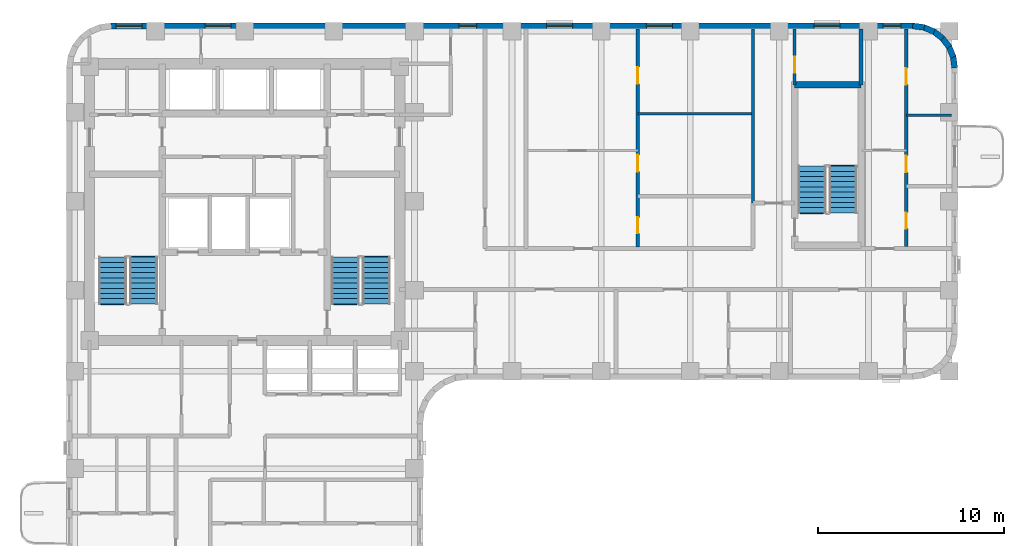
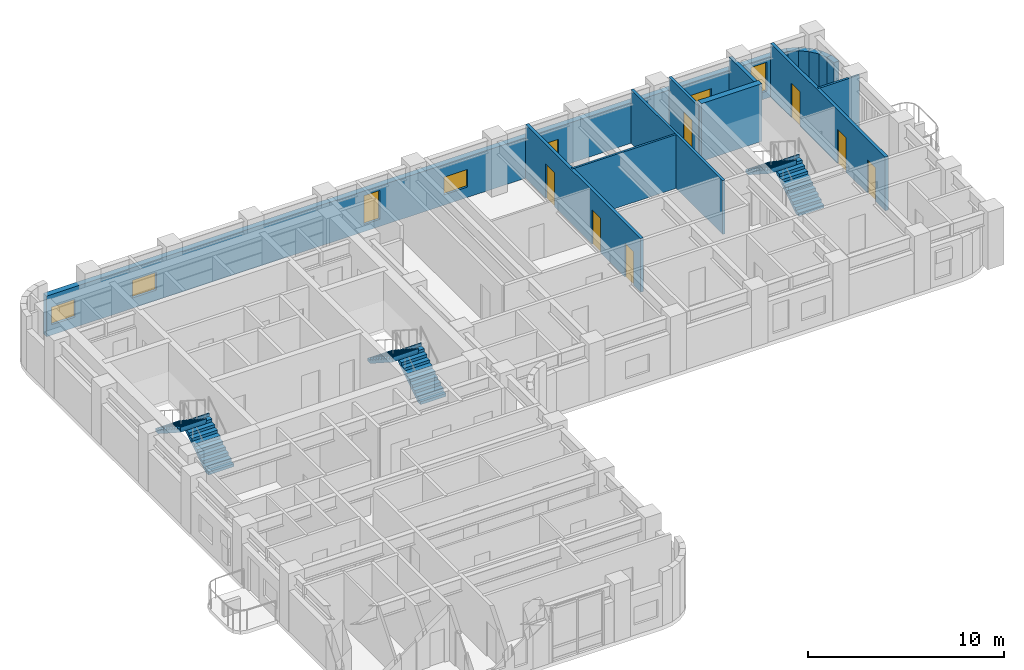
# One storey, part 9 of 11: 15 walls, 7 doors, 7 windows, 6 stair flights, 14 openings, 3 elements without a shape of their own.
"""IFC4 building model written with IfcOpenShell, lengths in metres."""

from ifc_helpers import new_model, si_unit, direction, frame, frame_2d, origin, place, context, subcontext, project, spatial, polyline, rectangle, outline, extrude, material, layer, layer_set, type_object, element, fill, aggregate, save


model = new_model("IFC4")

# Units and contexts
model_context = context("Model", 3, precision=1e-05, world=origin(), true_north=direction((0.0, 1.0)))
body_context = subcontext(model_context, "Body", "Model", "MODEL_VIEW")
ifc_project = project(units=[si_unit("LENGTHUNIT", "METRE"), si_unit("AREAUNIT", "SQUARE_METRE"), si_unit("VOLUMEUNIT", "CUBIC_METRE"), si_unit("PLANEANGLEUNIT", "RADIAN"), si_unit("MASSUNIT", "GRAM", prefix="KILO")], contexts=[model_context])

# Site, building, storey
site_placement = place(None, origin())
site = spatial("IfcSite", under=ifc_project, at=site_placement, CompositionType="ELEMENT")
building_placement = place(site_placement, origin())
building = spatial("IfcBuilding", under=site, at=building_placement, Name="Orvandelia Arch Residences", CompositionType="ELEMENT")
storey_placement = place(building_placement, frame((0.0, 0.0, 125.199951171875)))
storey = spatial("IfcBuildingStorey", under=building, at=storey_placement, Name="L32", CompositionType="ELEMENT", Elevation=125.199951171875)

# Walls
ifc_material_1 = material(Name="Concrete C50/60", Category="concrete")
ifc_layer_1 = layer(ifc_material_1, 0.35009765625, Name="Concrete C50/60", Category="concrete")
ifc_layer_set_1 = layer_set([ifc_layer_1], Name="Concrete C50/60")
wall_type_1 = type_object("IfcWallType", Name="WL-CORE-350", PredefinedType="SHEAR", material=ifc_layer_set_1)
wall_1_placement = place(storey_placement, frame((44.02001953125, 44.659912109375, 0.0), z_axis=(0.0, 0.0, 1.0), x_axis=(1.0, 0.0, 0.0)))
element("IfcWall", 1, at=wall_1_placement, inside=storey, type_object=wall_type_1, Name="East Stair Core Shear Wall L32-N", PredefinedType="SHEAR", context=body_context, shape_type="SweptSolid", body=[
    extrude(rectangle(XDim=3.580078125, YDim=0.35009765625, at=frame_2d((1.7900390625, 0.0))), origin(), (0.0, 0.0, 1.0), 3.60009765625),
])
ifc_material_2 = material(Name="Concrete C40/50", Category="concrete")
ifc_layer_2 = layer(ifc_material_2, 0.199951171875, Name="Concrete C40/50", Category="concrete")
ifc_layer_set_2 = layer_set([ifc_layer_2], Name="Concrete C40/50")
wall_type_2 = type_object("IfcWallType", Name="WL-DEM-200", PredefinedType="SOLIDWALL", material=ifc_layer_set_2)
wall_2_placement = place(storey_placement, frame((47.60009765625, 44.659912109375, 0.0), z_axis=(0.0, 0.0, 1.0), x_axis=(0.0, 1.0, 0.0)))
element("IfcWall", 2, at=wall_2_placement, inside=storey, type_object=wall_type_2, Name="Interior Partition Wall WL-L32-ES-NST3E", PredefinedType="SOLIDWALL", context=body_context, shape_type="SweptSolid", body=[
    extrude(rectangle(XDim=3.02001953125, YDim=0.199951171875, at=frame_2d((1.510009765625, 0.0))), origin(), (0.0, 0.0, 1.0), 3.360107421875),
])

# Wall, openings, windows
ifc_material_3 = material(Name="Precast concrete C40/50", Category="concrete")
ifc_layer_3 = layer(ifc_material_3, 0.320068359375, Name="Precast concrete C40/50", Category="concrete")
ifc_layer_set_3 = layer_set([ifc_layer_3], Name="Precast concrete C40/50")
wall_type_3 = type_object("IfcWallType", Name="WL-EXT-STONE-320", PredefinedType="STANDARD", material=ifc_layer_set_3)
wall_3_placement = place(storey_placement, frame((7.199951171875, 47.840087890625, 0.0), z_axis=(0.0, 0.0, 1.0), x_axis=(1.0, 0.0, 0.0)))
wall_3 = element("IfcWall", 3, at=wall_3_placement, inside=storey, type_object=wall_type_3, Name="Coral-Limestone Precast Facade Wall L32-007", PredefinedType="STANDARD", context=body_context, shape_type="SweptSolid", body=[
    extrude(rectangle(XDim=43.199951171875, YDim=0.320068359375, at=frame_2d((21.60009765625, 0.0))), origin(), (0.0, 0.0, 1.0), 2.5400390625),
])
opening_1_placement = place(wall_3_placement, frame((28.841064453125, 0.0, 0.64990234375)))
opening_1 = element("IfcOpeningElement", 4, at=opening_1_placement, cuts=wall_3, Name="Opening W10", PredefinedType="OPENING", context=body_context, shape_type="SweptSolid", body=[
    extrude(rectangle(XDim=1.39990234375, YDim=1.10009765625, at=frame_2d((0.699951171875, 0.550048828125))), frame((0.0, 0.169921875, 0.0), z_axis=(0.0, -1.0, 0.0), x_axis=(1.0, 0.0, 0.0)), (0.0, 0.0, 1.0), 0.340087890625),
])
opening_2_placement = place(wall_3_placement, frame((18.739990234375, 0.0, 0.449951171875)))
opening_2 = element("IfcOpeningElement", 5, at=opening_2_placement, cuts=wall_3, Name="Opening W4", PredefinedType="OPENING", context=body_context, shape_type="SweptSolid", body=[
    extrude(rectangle(XDim=0.949951171875, YDim=1.800048828125, at=frame_2d((0.47509765625, 0.89990234375))), frame((0.0, 0.169921875, 0.0), z_axis=(0.0, -1.0, 0.0), x_axis=(1.0, 0.0, 0.0)), (0.0, 0.0, 1.0), 0.340087890625),
])
opening_3_placement = place(wall_3_placement, frame((37.862548828125, 0.0, 0.64990234375)))
opening_3 = element("IfcOpeningElement", 6, at=opening_3_placement, cuts=wall_3, Name="Opening W10", PredefinedType="OPENING", context=body_context, shape_type="SweptSolid", body=[
    extrude(rectangle(XDim=1.39990234375, YDim=1.10009765625, at=frame_2d((0.699951171875, 0.550048828125))), frame((0.0, 0.169921875, 0.0), z_axis=(0.0, -1.0, 0.0), x_axis=(1.0, 0.0, 0.0)), (0.0, 0.0, 1.0), 0.340087890625),
])
opening_4_placement = place(wall_3_placement, frame((0.282470703125, 0.0, 0.64990234375)))
opening_4 = element("IfcOpeningElement", 7, at=opening_4_placement, cuts=wall_3, Name="Opening W10", PredefinedType="OPENING", context=body_context, shape_type="SweptSolid", body=[
    extrude(rectangle(XDim=1.39990234375, YDim=1.10009765625, at=frame_2d((0.699951171875, 0.550048828125))), frame((0.0, 0.169921875, 0.0), z_axis=(0.0, -1.0, 0.0), x_axis=(1.0, 0.0, 0.0)), (0.0, 0.0, 1.0), 0.340087890625),
])
opening_5_placement = place(wall_3_placement, frame((5.077392578125, 0.0, 0.64990234375)))
opening_5 = element("IfcOpeningElement", 8, at=opening_5_placement, cuts=wall_3, Name="Opening W10", PredefinedType="OPENING", context=body_context, shape_type="SweptSolid", body=[
    extrude(rectangle(XDim=1.39990234375, YDim=1.10009765625, at=frame_2d((0.699951171875, 0.550048828125))), frame((0.0, 0.169921875, 0.0), z_axis=(0.0, -1.0, 0.0), x_axis=(1.0, 0.0, 0.0)), (0.0, 0.0, 1.0), 0.340087890625),
])
opening_6_placement = place(wall_3_placement, frame((23.467529296875, 0.0, 0.64990234375)))
opening_6 = element("IfcOpeningElement", 9, at=opening_6_placement, cuts=wall_3, Name="Opening W10", PredefinedType="OPENING", context=body_context, shape_type="SweptSolid", body=[
    extrude(rectangle(XDim=1.39990234375, YDim=1.10009765625, at=frame_2d((0.699951171875, 0.550048828125))), frame((0.0, 0.169921875, 0.0), z_axis=(0.0, -1.0, 0.0), x_axis=(1.0, 0.0, 0.0)), (0.0, 0.0, 1.0), 0.340087890625),
])
opening_7_placement = place(wall_3_placement, frame((41.593994140625, 0.0, 0.449951171875)))
opening_7 = element("IfcOpeningElement", 10, at=opening_7_placement, cuts=wall_3, Name="Opening W4", PredefinedType="OPENING", context=body_context, shape_type="SweptSolid", body=[
    extrude(rectangle(XDim=0.949951171875, YDim=1.800048828125, at=frame_2d((0.47509765625, 0.89990234375))), frame((0.0, 0.169921875, 0.0), z_axis=(0.0, -1.0, 0.0), x_axis=(1.0, 0.0, 0.0)), (0.0, 0.0, 1.0), 0.340087890625),
])
ifc_material_4 = material(Name="Tempered Low-E Insulated Glazing", Category="glass")
window_type_1 = type_object("IfcWindowType", Name="WIN-CLR-1400x1100", PartitioningType="SINGLE_PANEL", PredefinedType="WINDOW", material=ifc_material_4)
window_1_placement = place(opening_1_placement, origin())
window_1 = element("IfcWindow", 11, at=window_1_placement, inside=storey, type_object=window_type_1, Name="Recessed Punched Window L32-001", OverallHeight=1.10009765625, OverallWidth=1.39990234375, PartitioningType="SINGLE_PANEL", PredefinedType="WINDOW", context=body_context, shape_type="SweptSolid", body=[
    extrude(rectangle(XDim=1.39990234375, YDim=1.10009765625, at=frame_2d((0.699951171875, 0.550048828125))), frame((0.0, 0.030029296875, 0.0), z_axis=(0.0, -1.0, 0.0), x_axis=(1.0, 0.0, 0.0)), (0.0, 0.0, 1.0), 0.06005859375),
])
fill(opening_1, window_1)
window_2_placement = place(opening_3_placement, origin())
window_2 = element("IfcWindow", 12, at=window_2_placement, inside=storey, type_object=window_type_1, Name="Recessed Punched Window L32-003", OverallHeight=1.10009765625, OverallWidth=1.39990234375, PartitioningType="SINGLE_PANEL", PredefinedType="WINDOW", context=body_context, shape_type="SweptSolid", body=[
    extrude(rectangle(XDim=1.39990234375, YDim=1.10009765625, at=frame_2d((0.699951171875, 0.550048828125))), frame((0.0, 0.030029296875, 0.0), z_axis=(0.0, -1.0, 0.0), x_axis=(1.0, 0.0, 0.0)), (0.0, 0.0, 1.0), 0.06005859375),
])
fill(opening_3, window_2)
window_3_placement = place(opening_4_placement, origin())
window_3 = element("IfcWindow", 13, at=window_3_placement, inside=storey, type_object=window_type_1, Name="Recessed Punched Window L32-004", OverallHeight=1.10009765625, OverallWidth=1.39990234375, PartitioningType="SINGLE_PANEL", PredefinedType="WINDOW", context=body_context, shape_type="SweptSolid", body=[
    extrude(rectangle(XDim=1.39990234375, YDim=1.10009765625, at=frame_2d((0.699951171875, 0.550048828125))), frame((0.0, 0.030029296875, 0.0), z_axis=(0.0, -1.0, 0.0), x_axis=(1.0, 0.0, 0.0)), (0.0, 0.0, 1.0), 0.06005859375),
])
fill(opening_4, window_3)
window_4_placement = place(opening_5_placement, origin())
window_4 = element("IfcWindow", 14, at=window_4_placement, inside=storey, type_object=window_type_1, Name="Recessed Punched Window L32-005", OverallHeight=1.10009765625, OverallWidth=1.39990234375, PartitioningType="SINGLE_PANEL", PredefinedType="WINDOW", context=body_context, shape_type="SweptSolid", body=[
    extrude(rectangle(XDim=1.39990234375, YDim=1.10009765625, at=frame_2d((0.699951171875, 0.550048828125))), frame((0.0, 0.030029296875, 0.0), z_axis=(0.0, -1.0, 0.0), x_axis=(1.0, 0.0, 0.0)), (0.0, 0.0, 1.0), 0.06005859375),
])
fill(opening_5, window_4)
window_5_placement = place(opening_6_placement, origin())
window_5 = element("IfcWindow", 15, at=window_5_placement, inside=storey, type_object=window_type_1, Name="Recessed Punched Window L32-006", OverallHeight=1.10009765625, OverallWidth=1.39990234375, PartitioningType="SINGLE_PANEL", PredefinedType="WINDOW", context=body_context, shape_type="SweptSolid", body=[
    extrude(rectangle(XDim=1.39990234375, YDim=1.10009765625, at=frame_2d((0.699951171875, 0.550048828125))), frame((0.0, 0.030029296875, 0.0), z_axis=(0.0, -1.0, 0.0), x_axis=(1.0, 0.0, 0.0)), (0.0, 0.0, 1.0), 0.06005859375),
])
fill(opening_6, window_5)
window_type_2 = type_object("IfcWindowType", Name="WIN-RES-0950x1800", PartitioningType="SINGLE_PANEL", PredefinedType="WINDOW", material=ifc_material_4)
window_6_placement = place(opening_2_placement, origin())
window_6 = element("IfcWindow", 16, at=window_6_placement, inside=storey, type_object=window_type_2, Name="Recessed Punched Window L32-002", OverallHeight=1.800048828125, OverallWidth=0.949951171875, PartitioningType="SINGLE_PANEL", PredefinedType="WINDOW", context=body_context, shape_type="SweptSolid", body=[
    extrude(rectangle(XDim=0.949951171875, YDim=1.800048828125, at=frame_2d((0.47509765625, 0.89990234375))), frame((0.0, 0.030029296875, 0.0), z_axis=(0.0, -1.0, 0.0), x_axis=(1.0, 0.0, 0.0)), (0.0, 0.0, 1.0), 0.06005859375),
])
fill(opening_2, window_6)
window_7_placement = place(opening_7_placement, origin())
window_7 = element("IfcWindow", 17, at=window_7_placement, inside=storey, type_object=window_type_2, Name="Recessed Punched Window L32-007", OverallHeight=1.800048828125, OverallWidth=0.949951171875, PartitioningType="SINGLE_PANEL", PredefinedType="WINDOW", context=body_context, shape_type="SweptSolid", body=[
    extrude(rectangle(XDim=0.949951171875, YDim=1.800048828125, at=frame_2d((0.47509765625, 0.89990234375))), frame((0.0, 0.030029296875, 0.0), z_axis=(0.0, -1.0, 0.0), x_axis=(1.0, 0.0, 0.0)), (0.0, 0.0, 1.0), 0.06005859375),
])
fill(opening_7, window_7)

# Walls
for number, where, z_axis, x_axis, name in (
    (18, (50.379150390625, 47.84130859375, 0.0), (0.0, 0.0, 1.0), (0.9914410257, -0.130555323746, 0.0), "Coral-Limestone Precast Facade Wall L32-008"),
    (19, (50.9599609375, 47.7705078125, 0.0), (0.0, 0.0, 1.0), (0.92389335771, -0.382650053678, 0.0), "Coral-Limestone Precast Facade Wall L32-009"),
    (20, (51.502685546875, 47.551513671875, 0.0), (0.0, 0.0, 1.0), (0.793405610854, -0.608693302629, 0.0), "Coral-Limestone Precast Facade Wall L32-010"),
    (21, (51.97021484375, 47.19970703125, 0.0), (0.0, 0.0, 1.0), (0.608693302629, -0.793405610854, 0.0), "Coral-Limestone Precast Facade Wall L32-011"),
    (22, (52.330810546875, 46.73876953125, 0.0), (0.0, 0.0, 1.0), (0.382317370307, -0.924031075431, 0.0), "Coral-Limestone Precast Facade Wall L32-012"),
    (23, (52.5595703125, 46.2001953125, 0.0), (0.0, 0.0, 1.0), (0.130555323746, -0.9914410257, 0.0), "Coral-Limestone Precast Facade Wall L32-013"),
):
    element("IfcWall", number, at=place(storey_placement, frame(where, z_axis=z_axis, x_axis=x_axis)), inside=storey, type_object=wall_type_3, Name=name, PredefinedType="STANDARD", context=body_context, shape_type="SweptSolid", body=[
        extrude(rectangle(XDim=0.62646484375, YDim=0.320068359375, at=frame_2d((0.313232421875, 0.0))), origin(), (0.0, 0.0, 1.0), 2.5400390625),
    ])
ifc_material_5 = material(Name="Lightweight Gypsum Stud Partition")
ifc_layer_4 = layer(ifc_material_5, 0.1201171875, Name="Lightweight Gypsum Stud Partition")
ifc_layer_set_4 = layer_set([ifc_layer_4], Name="Lightweight Gypsum Stud Partition")
wall_type_4 = type_object("IfcWallType", Name="WL-PART-120", PredefinedType="PARTITIONING", material=ifc_layer_set_4)
wall_4_placement = place(storey_placement, frame((35.576904296875, 43.10693359375, 0.0), z_axis=(0.0, 0.0, 1.0), x_axis=(1.0, 0.0, 0.0)))
element("IfcWall", 24, at=wall_4_placement, inside=storey, type_object=wall_type_4, Name="Interior Partition Wall WL-L32-U08-H2", PredefinedType="PARTITIONING", context=body_context, shape_type="SweptSolid", body=[
    extrude(rectangle(XDim=6.123046875, YDim=0.1201171875, at=frame_2d((3.0615234375, 0.0))), origin(), (0.0, 0.0, 1.0), 3.360107421875),
])
wall_5_placement = place(storey_placement, frame((50.04296875, 43.02392578125, 0.0), z_axis=(0.0, 0.0, 1.0), x_axis=(1.0, 0.0, 0.0)))
element("IfcWall", 25, at=wall_5_placement, inside=storey, type_object=wall_type_4, Name="Interior Partition Wall WL-L32-U09-H2", PredefinedType="PARTITIONING", context=body_context, shape_type="SweptSolid", body=[
    extrude(rectangle(XDim=2.43701171875, YDim=0.1201171875, at=frame_2d((1.218505859375, 0.0))), origin(), (0.0, 0.0, 1.0), 3.360107421875),
])
ifc_material_6 = material(Name="Acoustic Gypsum Stud Partition")
ifc_layer_5 = layer(ifc_material_6, 0.14990234375, Name="Acoustic Gypsum Stud Partition")
ifc_layer_set_5 = layer_set([ifc_layer_5], Name="Acoustic Gypsum Stud Partition")
wall_type_5 = type_object("IfcWallType", Name="WL-PART-150", PredefinedType="PARTITIONING", material=ifc_layer_set_5)
wall_6_placement = place(storey_placement, frame((41.780029296875, 38.300048828125, 0.0), z_axis=(0.0, 0.0, 1.0), x_axis=(0.0, 1.0, 0.0)))
element("IfcWall", 26, at=wall_6_placement, inside=storey, type_object=wall_type_5, Name="Interior Partition Wall WL-L32-ES-SPKW", PredefinedType="PARTITIONING", context=body_context, shape_type="SweptSolid", body=[
    extrude(rectangle(XDim=9.3798828125, YDim=0.14990234375, at=frame_2d((4.68994140625, 0.0))), origin(), (0.0, 0.0, 1.0), 3.360107421875),
])

# Wall, opening, door
wall_7_placement = place(storey_placement, frame((44.02001953125, 44.659912109375, 0.0), z_axis=(0.0, 0.0, 1.0), x_axis=(0.0, 1.0, 0.0)))
wall_7 = element("IfcWall", 27, at=wall_7_placement, inside=storey, type_object=wall_type_5, Name="Interior Partition Wall WL-L32-ES-NST3W", PredefinedType="PARTITIONING", context=body_context, shape_type="SweptSolid", body=[
    extrude(rectangle(XDim=3.02001953125, YDim=0.14990234375, at=frame_2d((1.510009765625, 0.0))), origin(), (0.0, 0.0, 1.0), 3.360107421875),
])
opening_8_placement = place(wall_7_placement, frame((0.64990234375, 0.0, 0.0)))
opening_8 = element("IfcOpeningElement", 28, at=opening_8_placement, cuts=wall_7, Name="Opening D5", PredefinedType="OPENING", context=body_context, shape_type="SweptSolid", body=[
    extrude(rectangle(XDim=0.8798828125, YDim=2.10009765625, at=frame_2d((0.43994140625, 1.050048828125))), frame((0.0, 0.0849609375, 0.0), z_axis=(0.0, -1.0, 0.0), x_axis=(1.0, 0.0, 0.0)), (0.0, 0.0, 1.0), 0.169921875),
])
ifc_material_7 = material(Name="Painted Galvanised Steel Service Door", Category="steel")
door_type_1 = type_object("IfcDoorType", Name="DR-SRV-880", OperationType="NOTDEFINED", PredefinedType="DOOR", material=ifc_material_7)
door_1_placement = place(opening_8_placement, origin())
door_1 = element("IfcDoor", 29, at=door_1_placement, inside=storey, type_object=door_type_1, Name="DR-L32-ESNST3", OperationType="SINGLE_SWING_RIGHT", OverallHeight=2.10009765625, OverallWidth=0.8798828125, PredefinedType="DOOR", context=body_context, shape_type="SweptSolid", body=[
    extrude(rectangle(XDim=0.8798828125, YDim=2.10009765625, at=frame_2d((0.43994140625, 1.050048828125))), frame((0.0, 0.02490234375, 0.0), z_axis=(0.0, -1.0, 0.0), x_axis=(1.0, 0.0, 0.0)), (0.0, 0.0, 1.0), 0.050048828125),
])
fill(opening_8, door_1)

# Wall, openings, doors
ifc_material_8 = material(Name="Moisture-Resistant Plumbing Wall")
ifc_layer_6 = layer(ifc_material_8, 0.179931640625, Name="Moisture-Resistant Plumbing Wall")
ifc_layer_set_6 = layer_set([ifc_layer_6], Name="Moisture-Resistant Plumbing Wall")
wall_type_6 = type_object("IfcWallType", Name="WL-WET-180", PredefinedType="PLUMBINGWALL", material=ifc_layer_set_6)
wall_8_placement = place(storey_placement, frame((35.576904296875, 35.929931640625, 0.0), z_axis=(0.0, 0.0, 1.0), x_axis=(0.0, 1.0, 0.0)))
wall_8 = element("IfcWall", 30, at=wall_8_placement, inside=storey, type_object=wall_type_6, Name="Interior Partition Wall WL-L32-U08-VT", PredefinedType="PLUMBINGWALL", context=body_context, shape_type="SweptSolid", body=[
    extrude(rectangle(XDim=11.75, YDim=0.179931640625, at=frame_2d((5.875, 0.0))), origin(), (0.0, 0.0, 1.0), 3.360107421875),
])
opening_9_placement = place(wall_8_placement, frame((0.7333984375, 0.0, 0.0)))
opening_9 = element("IfcOpeningElement", 31, at=opening_9_placement, cuts=wall_8, Name="Opening D4", PredefinedType="OPENING", context=body_context, shape_type="SweptSolid", body=[
    extrude(rectangle(XDim=0.860107421875, YDim=2.10009765625, at=frame_2d((0.43017578125, 1.050048828125))), frame((0.0, 0.10009765625, 0.0), z_axis=(0.0, -1.0, 0.0), x_axis=(1.0, 0.0, 0.0)), (0.0, 0.0, 1.0), 0.199951171875),
])
opening_10_placement = place(wall_8_placement, frame((4.063720703125, 0.0, 0.0)))
opening_10 = element("IfcOpeningElement", 32, at=opening_10_placement, cuts=wall_8, Name="Opening D3", PredefinedType="OPENING", context=body_context, shape_type="SweptSolid", body=[
    extrude(rectangle(XDim=0.89990234375, YDim=2.14990234375, at=frame_2d((0.449951171875, 1.074951171875))), frame((0.0, 0.10009765625, 0.0), z_axis=(0.0, -1.0, 0.0), x_axis=(1.0, 0.0, 0.0)), (0.0, 0.0, 1.0), 0.199951171875),
])
opening_11_placement = place(wall_8_placement, frame((8.789306640625, 0.0, 0.0)))
opening_11 = element("IfcOpeningElement", 33, at=opening_11_placement, cuts=wall_8, Name="Opening D3", PredefinedType="OPENING", context=body_context, shape_type="SweptSolid", body=[
    extrude(rectangle(XDim=0.89990234375, YDim=2.14990234375, at=frame_2d((0.449951171875, 1.074951171875))), frame((0.0, 0.10009765625, 0.0), z_axis=(0.0, -1.0, 0.0), x_axis=(1.0, 0.0, 0.0)), (0.0, 0.0, 1.0), 0.199951171875),
])
ifc_material_9 = material(Name="Engineered Timber Flush Door", Category="wood")
door_type_2 = type_object("IfcDoorType", Name="DR-INT-900", OperationType="NOTDEFINED", PredefinedType="DOOR", material=ifc_material_9)
door_2_placement = place(opening_10_placement, origin())
door_2 = element("IfcDoor", 34, at=door_2_placement, inside=storey, type_object=door_type_2, Name="DR-L32-U08-KIT", OperationType="SINGLE_SWING_RIGHT", OverallHeight=2.14990234375, OverallWidth=0.89990234375, PredefinedType="DOOR", context=body_context, shape_type="SweptSolid", body=[
    extrude(rectangle(XDim=0.89990234375, YDim=2.14990234375, at=frame_2d((0.449951171875, 1.074951171875))), frame((0.0, 0.02490234375, 0.0), z_axis=(0.0, -1.0, 0.0), x_axis=(1.0, 0.0, 0.0)), (0.0, 0.0, 1.0), 0.050048828125),
])
fill(opening_10, door_2)
door_3_placement = place(opening_11_placement, origin())
door_3 = element("IfcDoor", 35, at=door_3_placement, inside=storey, type_object=door_type_2, Name="DR-L32-U08-BD1", OperationType="SINGLE_SWING_LEFT", OverallHeight=2.14990234375, OverallWidth=0.89990234375, PredefinedType="DOOR", context=body_context, shape_type="SweptSolid", body=[
    extrude(rectangle(XDim=0.89990234375, YDim=2.14990234375, at=frame_2d((0.449951171875, 1.074951171875))), frame((0.0, 0.02490234375, 0.0), z_axis=(0.0, -1.0, 0.0), x_axis=(1.0, 0.0, 0.0)), (0.0, 0.0, 1.0), 0.050048828125),
])
fill(opening_11, door_3)
ifc_material_10 = material(Name="Moisture-Sealed Timber Bathroom Door", Category="wood")
door_type_3 = type_object("IfcDoorType", Name="DR-WET-900", OperationType="NOTDEFINED", PredefinedType="DOOR", material=ifc_material_10)
door_4_placement = place(opening_9_placement, origin())
door_4 = element("IfcDoor", 36, at=door_4_placement, inside=storey, type_object=door_type_3, Name="DR-L32-U08-BTH", OperationType="SINGLE_SWING_LEFT", OverallHeight=2.10009765625, OverallWidth=0.860107421875, PredefinedType="DOOR", context=body_context, shape_type="SweptSolid", body=[
    extrude(rectangle(XDim=0.860107421875, YDim=2.10009765625, at=frame_2d((0.43017578125, 1.050048828125))), frame((0.0, 0.02490234375, 0.0), z_axis=(0.0, -1.0, 0.0), x_axis=(1.0, 0.0, 0.0)), (0.0, 0.0, 1.0), 0.050048828125),
])
fill(opening_9, door_4)

wall_9_placement = place(storey_placement, frame((50.04296875, 35.949951171875, 0.0), z_axis=(0.0, 0.0, 1.0), x_axis=(0.0, 1.0, 0.0)))
wall_9 = element("IfcWall", 37, at=wall_9_placement, inside=storey, type_object=wall_type_6, Name="Interior Partition Wall WL-L32-U09-VT", PredefinedType="PLUMBINGWALL", context=body_context, shape_type="SweptSolid", body=[
    extrude(rectangle(XDim=11.72998046875, YDim=0.179931640625, at=frame_2d((5.864990234375, 0.0))), origin(), (0.0, 0.0, 1.0), 3.360107421875),
])
opening_12_placement = place(wall_9_placement, frame((0.96923828125, 0.0, 0.0)))
opening_12 = element("IfcOpeningElement", 38, at=opening_12_placement, cuts=wall_9, Name="Opening D4", PredefinedType="OPENING", context=body_context, shape_type="SweptSolid", body=[
    extrude(rectangle(XDim=0.860107421875, YDim=2.10009765625, at=frame_2d((0.43017578125, 1.050048828125))), frame((0.0, 0.10009765625, 0.0), z_axis=(0.0, -1.0, 0.0), x_axis=(1.0, 0.0, 0.0)), (0.0, 0.0, 1.0), 0.199951171875),
])
opening_13_placement = place(wall_9_placement, frame((4.005615234375, 0.0, 0.0)))
opening_13 = element("IfcOpeningElement", 39, at=opening_13_placement, cuts=wall_9, Name="Opening D3", PredefinedType="OPENING", context=body_context, shape_type="SweptSolid", body=[
    extrude(rectangle(XDim=0.89990234375, YDim=2.14990234375, at=frame_2d((0.449951171875, 1.074951171875))), frame((0.0, 0.10009765625, 0.0), z_axis=(0.0, -1.0, 0.0), x_axis=(1.0, 0.0, 0.0)), (0.0, 0.0, 1.0), 0.199951171875),
])
opening_14_placement = place(wall_9_placement, frame((8.7236328125, 0.0, 0.0)))
opening_14 = element("IfcOpeningElement", 40, at=opening_14_placement, cuts=wall_9, Name="Opening D3", PredefinedType="OPENING", context=body_context, shape_type="SweptSolid", body=[
    extrude(rectangle(XDim=0.89990234375, YDim=2.14990234375, at=frame_2d((0.449951171875, 1.074951171875))), frame((0.0, 0.10009765625, 0.0), z_axis=(0.0, -1.0, 0.0), x_axis=(1.0, 0.0, 0.0)), (0.0, 0.0, 1.0), 0.199951171875),
])
door_5_placement = place(opening_13_placement, origin())
door_5 = element("IfcDoor", 41, at=door_5_placement, inside=storey, type_object=door_type_2, Name="DR-L32-U09-KIT", OperationType="SINGLE_SWING_LEFT", OverallHeight=2.14990234375, OverallWidth=0.89990234375, PredefinedType="DOOR", context=body_context, shape_type="SweptSolid", body=[
    extrude(rectangle(XDim=0.89990234375, YDim=2.14990234375, at=frame_2d((0.449951171875, 1.074951171875))), frame((0.0, 0.02490234375, 0.0), z_axis=(0.0, -1.0, 0.0), x_axis=(1.0, 0.0, 0.0)), (0.0, 0.0, 1.0), 0.050048828125),
])
fill(opening_13, door_5)
door_6_placement = place(opening_14_placement, origin())
door_6 = element("IfcDoor", 42, at=door_6_placement, inside=storey, type_object=door_type_2, Name="DR-L32-U09-BD1", OperationType="SINGLE_SWING_RIGHT", OverallHeight=2.14990234375, OverallWidth=0.89990234375, PredefinedType="DOOR", context=body_context, shape_type="SweptSolid", body=[
    extrude(rectangle(XDim=0.89990234375, YDim=2.14990234375, at=frame_2d((0.449951171875, 1.074951171875))), frame((0.0, 0.02490234375, 0.0), z_axis=(0.0, -1.0, 0.0), x_axis=(1.0, 0.0, 0.0)), (0.0, 0.0, 1.0), 0.050048828125),
])
fill(opening_14, door_6)
door_7_placement = place(opening_12_placement, origin())
door_7 = element("IfcDoor", 43, at=door_7_placement, inside=storey, type_object=door_type_3, Name="DR-L32-U09-BTH", OperationType="SINGLE_SWING_RIGHT", OverallHeight=2.10009765625, OverallWidth=0.860107421875, PredefinedType="DOOR", context=body_context, shape_type="SweptSolid", body=[
    extrude(rectangle(XDim=0.860107421875, YDim=2.10009765625, at=frame_2d((0.43017578125, 1.050048828125))), frame((0.0, 0.02490234375, 0.0), z_axis=(0.0, -1.0, 0.0), x_axis=(1.0, 0.0, 0.0)), (0.0, 0.0, 1.0), 0.050048828125),
])
fill(opening_12, door_7)

# Stair, stair flights
stair_type = type_object("IfcStairType", Name="STAIR-RC-DOGLEG", PredefinedType="HALF_TURN_STAIR", material=ifc_material_2)
stair_1_placement = place(storey_placement, origin())
stair_1 = element("IfcStair", 44, at=stair_1_placement, inside=storey, type_object=stair_type, Name="L32 Protected Exit Stair ST-1", PredefinedType="HALF_TURN_STAIR")
stair_flight_type = type_object("IfcStairFlightType", Name="STFLT-RC-1520", PredefinedType="STRAIGHT", material=ifc_material_2)
stair_flight_1_placement = place(storey_placement, frame((8.9599609375, 32.8701171875, 0.0), z_axis=(0.0, 0.0, 1.0), x_axis=(0.0, 1.0, 0.0)))
stair_flight_1 = element("IfcStairFlight", 45, at=stair_flight_1_placement, type_object=stair_flight_type, Name="ST-1 flight 1", NumberOfRisers=10, NumberOfTreads=9, PredefinedType="STRAIGHT", RiserHeight=0.18, TreadLength=0.28, context=body_context, shape_type="SweptSolid", body=[
    extrude(outline(polyline([(0.0, 0.0), (0.0, 0.179931640625), (0.280029296875, 0.179931640625), (0.280029296875, 0.360107421875), (0.56005859375, 0.360107421875), (0.56005859375, 0.5400390625), (0.840087890625, 0.5400390625), (0.840087890625, 0.719970703125), (1.1201171875, 0.719970703125), (1.1201171875, 0.89990234375), (1.39990234375, 0.89990234375), (1.39990234375, 1.080078125), (1.679931640625, 1.080078125), (1.679931640625, 1.260009765625), (1.9599609375, 1.260009765625), (1.9599609375, 1.43994140625), (2.239990234375, 1.43994140625), (2.239990234375, 1.6201171875), (2.52001953125, 1.6201171875), (2.52001953125, 1.800048828125), (2.580078125, 1.800048828125), (2.580078125, 1.6201171875), (2.52001953125, 1.44189453125), (0.277099609375, 0.0), (0.0, 0.0)])), frame((0.0, 0.760009765625, 0.0), z_axis=(0.0, -1.0, 0.0), x_axis=(1.0, 0.0, 0.0)), (0.0, 0.0, 1.0), 1.52001953125),
])
stair_flight_2_placement = place(storey_placement, frame((7.2900390625, 35.389892578125, 1.800048828125), z_axis=(0.0, 0.0, 1.0), x_axis=(0.0, -1.0, 0.0)))
stair_flight_2 = element("IfcStairFlight", 46, at=stair_flight_2_placement, type_object=stair_flight_type, Name="ST-1 flight 2", NumberOfRisers=10, NumberOfTreads=9, PredefinedType="STRAIGHT", RiserHeight=0.18, TreadLength=0.28, context=body_context, shape_type="SweptSolid", body=[
    extrude(outline(polyline([(0.0, 0.0), (0.0, 0.179931640625), (0.280029296875, 0.179931640625), (0.280029296875, 0.360107421875), (0.56005859375, 0.360107421875), (0.56005859375, 0.5400390625), (0.840087890625, 0.5400390625), (0.840087890625, 0.719970703125), (1.1201171875, 0.719970703125), (1.1201171875, 0.89990234375), (1.39990234375, 0.89990234375), (1.39990234375, 1.080078125), (1.679931640625, 1.080078125), (1.679931640625, 1.260009765625), (1.9599609375, 1.260009765625), (1.9599609375, 1.43994140625), (2.239990234375, 1.43994140625), (2.239990234375, 1.6201171875), (2.52001953125, 1.6201171875), (2.52001953125, 1.800048828125), (2.580078125, 1.800048828125), (2.580078125, 1.6201171875), (2.52001953125, 1.44189453125), (0.277099609375, 0.0), (0.0, 0.0)])), frame((0.0, 0.760009765625, 0.0), z_axis=(0.0, -1.0, 0.0), x_axis=(1.0, 0.0, 0.0)), (0.0, 0.0, 1.0), 1.52001953125),
])
aggregate(stair_1, [stair_flight_1, stair_flight_2])

stair_2_placement = place(storey_placement, origin())
stair_2 = element("IfcStair", 47, at=stair_2_placement, inside=storey, type_object=stair_type, Name="L32 Protected Exit Stair ST-2", PredefinedType="HALF_TURN_STAIR")
stair_flight_3_placement = place(storey_placement, frame((21.489990234375, 32.8701171875, 0.0), z_axis=(0.0, 0.0, 1.0), x_axis=(0.0, 1.0, 0.0)))
stair_flight_3 = element("IfcStairFlight", 48, at=stair_flight_3_placement, type_object=stair_flight_type, Name="ST-2 flight 1", NumberOfRisers=10, NumberOfTreads=9, PredefinedType="STRAIGHT", RiserHeight=0.18, TreadLength=0.28, context=body_context, shape_type="SweptSolid", body=[
    extrude(outline(polyline([(0.0, 0.0), (0.0, 0.179931640625), (0.280029296875, 0.179931640625), (0.280029296875, 0.360107421875), (0.56005859375, 0.360107421875), (0.56005859375, 0.5400390625), (0.840087890625, 0.5400390625), (0.840087890625, 0.719970703125), (1.1201171875, 0.719970703125), (1.1201171875, 0.89990234375), (1.39990234375, 0.89990234375), (1.39990234375, 1.080078125), (1.679931640625, 1.080078125), (1.679931640625, 1.260009765625), (1.9599609375, 1.260009765625), (1.9599609375, 1.43994140625), (2.239990234375, 1.43994140625), (2.239990234375, 1.6201171875), (2.52001953125, 1.6201171875), (2.52001953125, 1.800048828125), (2.580078125, 1.800048828125), (2.580078125, 1.6201171875), (2.52001953125, 1.44189453125), (0.277099609375, 0.0), (0.0, 0.0)])), frame((0.0, 0.760009765625, 0.0), z_axis=(0.0, -1.0, 0.0), x_axis=(1.0, 0.0, 0.0)), (0.0, 0.0, 1.0), 1.52001953125),
])
stair_flight_4_placement = place(storey_placement, frame((19.820068359375, 35.389892578125, 1.800048828125), z_axis=(0.0, 0.0, 1.0), x_axis=(0.0, -1.0, 0.0)))
stair_flight_4 = element("IfcStairFlight", 49, at=stair_flight_4_placement, type_object=stair_flight_type, Name="ST-2 flight 2", NumberOfRisers=10, NumberOfTreads=9, PredefinedType="STRAIGHT", RiserHeight=0.18, TreadLength=0.28, context=body_context, shape_type="SweptSolid", body=[
    extrude(outline(polyline([(0.0, 0.0), (0.0, 0.179931640625), (0.280029296875, 0.179931640625), (0.280029296875, 0.360107421875), (0.56005859375, 0.360107421875), (0.56005859375, 0.5400390625), (0.840087890625, 0.5400390625), (0.840087890625, 0.719970703125), (1.1201171875, 0.719970703125), (1.1201171875, 0.89990234375), (1.39990234375, 0.89990234375), (1.39990234375, 1.080078125), (1.679931640625, 1.080078125), (1.679931640625, 1.260009765625), (1.9599609375, 1.260009765625), (1.9599609375, 1.43994140625), (2.239990234375, 1.43994140625), (2.239990234375, 1.6201171875), (2.52001953125, 1.6201171875), (2.52001953125, 1.800048828125), (2.580078125, 1.800048828125), (2.580078125, 1.6201171875), (2.52001953125, 1.44189453125), (0.277099609375, 0.0), (0.0, 0.0)])), frame((0.0, 0.760009765625, 0.0), z_axis=(0.0, -1.0, 0.0), x_axis=(1.0, 0.0, 0.0)), (0.0, 0.0, 1.0), 1.52001953125),
])
aggregate(stair_2, [stair_flight_3, stair_flight_4])

stair_3_placement = place(storey_placement, origin())
stair_3 = element("IfcStair", 50, at=stair_3_placement, inside=storey, type_object=stair_type, Name="L32 East Wing Exit Stair ST-3", PredefinedType="HALF_TURN_STAIR")
stair_flight_5_placement = place(storey_placement, frame((46.639892578125, 37.77001953125, 0.0), z_axis=(0.0, 0.0, 1.0), x_axis=(0.0, 1.0, 0.0)))
stair_flight_5 = element("IfcStairFlight", 51, at=stair_flight_5_placement, type_object=stair_flight_type, Name="ST-3 flight 1", NumberOfRisers=10, NumberOfTreads=9, PredefinedType="STRAIGHT", RiserHeight=0.18, TreadLength=0.28, context=body_context, shape_type="SweptSolid", body=[
    extrude(outline(polyline([(0.0, 0.0), (0.0, 0.179931640625), (0.280029296875, 0.179931640625), (0.280029296875, 0.360107421875), (0.56005859375, 0.360107421875), (0.56005859375, 0.5400390625), (0.840087890625, 0.5400390625), (0.840087890625, 0.719970703125), (1.1201171875, 0.719970703125), (1.1201171875, 0.89990234375), (1.39990234375, 0.89990234375), (1.39990234375, 1.080078125), (1.679931640625, 1.080078125), (1.679931640625, 1.260009765625), (1.9599609375, 1.260009765625), (1.9599609375, 1.43994140625), (2.239990234375, 1.43994140625), (2.239990234375, 1.6201171875), (2.52001953125, 1.6201171875), (2.52001953125, 1.800048828125), (2.580078125, 1.800048828125), (2.580078125, 1.6201171875), (2.52001953125, 1.44189453125), (0.277099609375, 0.0), (0.0, 0.0)])), frame((0.0, 0.760009765625, 0.0), z_axis=(0.0, -1.0, 0.0), x_axis=(1.0, 0.0, 0.0)), (0.0, 0.0, 1.0), 1.52001953125),
])
stair_flight_6_placement = place(storey_placement, frame((44.969970703125, 40.2900390625, 1.800048828125), z_axis=(0.0, 0.0, 1.0), x_axis=(0.0, -1.0, 0.0)))
stair_flight_6 = element("IfcStairFlight", 52, at=stair_flight_6_placement, type_object=stair_flight_type, Name="ST-3 flight 2", NumberOfRisers=10, NumberOfTreads=9, PredefinedType="STRAIGHT", RiserHeight=0.18, TreadLength=0.28, context=body_context, shape_type="SweptSolid", body=[
    extrude(outline(polyline([(0.0, 0.0), (0.0, 0.179931640625), (0.280029296875, 0.179931640625), (0.280029296875, 0.360107421875), (0.56005859375, 0.360107421875), (0.56005859375, 0.5400390625), (0.840087890625, 0.5400390625), (0.840087890625, 0.719970703125), (1.1201171875, 0.719970703125), (1.1201171875, 0.89990234375), (1.39990234375, 0.89990234375), (1.39990234375, 1.080078125), (1.679931640625, 1.080078125), (1.679931640625, 1.260009765625), (1.9599609375, 1.260009765625), (1.9599609375, 1.43994140625), (2.239990234375, 1.43994140625), (2.239990234375, 1.6201171875), (2.52001953125, 1.6201171875), (2.52001953125, 1.800048828125), (2.580078125, 1.800048828125), (2.580078125, 1.6201171875), (2.52001953125, 1.44189453125), (0.277099609375, 0.0), (0.0, 0.0)])), frame((0.0, 0.760009765625, 0.0), z_axis=(0.0, -1.0, 0.0), x_axis=(1.0, 0.0, 0.0)), (0.0, 0.0, 1.0), 1.52001953125),
])
aggregate(stair_3, [stair_flight_5, stair_flight_6])

save(model, "model.ifc")
